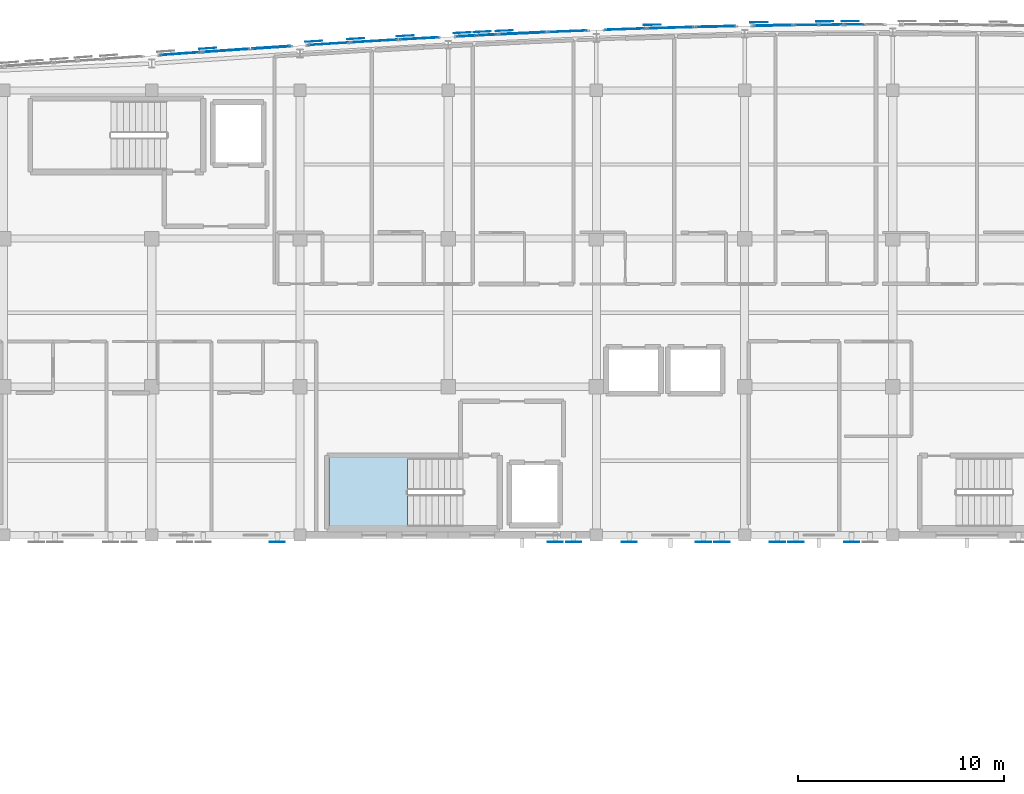
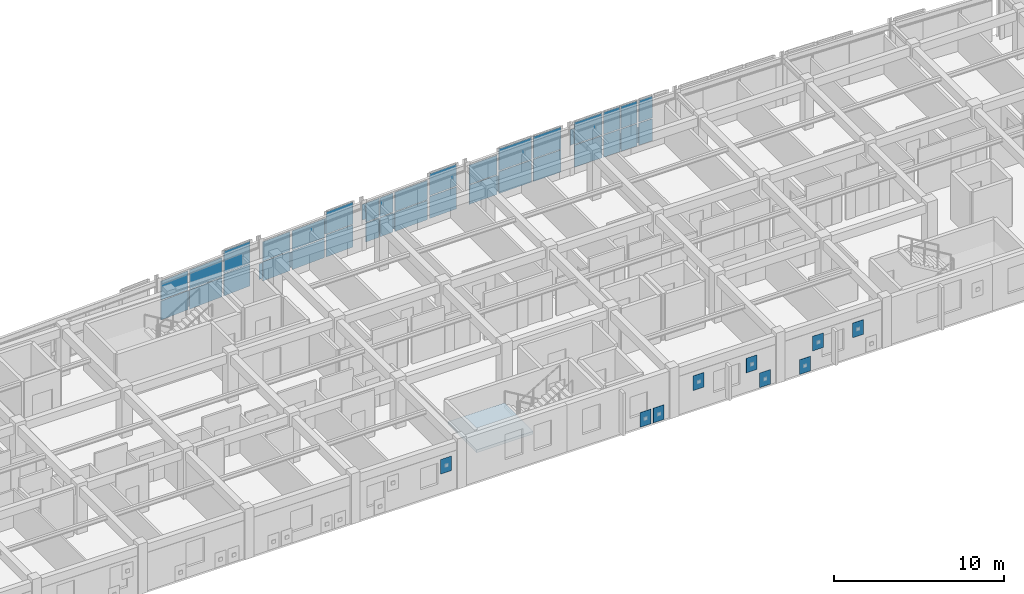
# One storey, part 52 of 73: 54 plates, 1 slab, 16 elements without a shape of their own.
"""IFC4 building model written with IfcOpenShell, lengths in metres."""

from ifc_helpers import new_model, si_unit, direction, frame, origin, origin_2d, place, context, subcontext, project, spatial, polyline, rectangle, outline, extrude, material, layer, layer_set, type_object, element, aggregate, save


model = new_model("IFC4")

# Units and contexts
model_context = context("Model", 3, precision=1e-05, world=origin(), true_north=direction((0.0, 1.0)))
body_context = subcontext(model_context, "Body", "Model", "MODEL_VIEW")
ifc_project = project(units=[si_unit("LENGTHUNIT", "METRE"), si_unit("AREAUNIT", "SQUARE_METRE"), si_unit("VOLUMEUNIT", "CUBIC_METRE"), si_unit("PLANEANGLEUNIT", "RADIAN"), si_unit("MASSUNIT", "GRAM", prefix="KILO")], contexts=[model_context])

# Site, building, storey
site_placement = place(None, origin())
site = spatial("IfcSite", under=ifc_project, at=site_placement, CompositionType="ELEMENT")
building_placement = place(site_placement, origin())
building = spatial("IfcBuilding", under=site, at=building_placement, Name="Carrowvane Square Congress Hotel", CompositionType="ELEMENT")
storey_placement = place(building_placement, frame((0.0, 0.0, 19.199951171875)))
storey = spatial("IfcBuildingStorey", under=building, at=storey_placement, Name="L04", CompositionType="ELEMENT", Elevation=19.199951171875)

# Curtain wall, plates
ifc_material_1 = material(Name="Anodised aluminium", Category="aluminium")
ifc_layer_1 = layer(ifc_material_1, 0.2099609375)
ifc_layer_set_1 = layer_set([ifc_layer_1], Name="Anodised aluminium")
curtain_wall_type_1 = type_object("IfcCurtainWallType", Name="CW-SYS-5", PredefinedType="NOTDEFINED", material=ifc_layer_set_1)
curtain_wall_1_placement = place(storey_placement, origin())
curtain_wall_1 = element("IfcCurtainWall", 1, at=curtain_wall_1_placement, inside=storey, type_object=curtain_wall_type_1, Name="L04 unitised curtain wall 260", PredefinedType="NOTDEFINED")
ifc_material_2 = material(Name="Double-glazed low-E glass", Category="glass")
ifc_layer_2 = layer(ifc_material_2, 0.028076171875)
ifc_layer_set_2 = layer_set([ifc_layer_2], Name="Double-glazed low-E glass")
plate_type_1 = type_object("IfcPlateType", Name="CW-PAN-1", PredefinedType="CURTAIN_PANEL", material=ifc_layer_set_2)
plate_1_placement = place(storey_placement, frame((70.580078125, 115.66064453125, 0.06005859375), z_axis=(0.0, 0.0, 1.0), x_axis=(0.998051378998, 0.062397474952, 0.0)))
plate_1 = element("IfcPlate", 2, at=plate_1_placement, type_object=plate_type_1, Name="CW-5 panel 1.1", PredefinedType="CURTAIN_PANEL", context=body_context, shape_type="SweptSolid", body=[
    extrude(rectangle(XDim=1.924072265625, YDim=0.028076171875, at=origin_2d()), origin(), (0.0, 0.0, 1.0), 1.372802734375),
])
plate_2_placement = place(storey_placement, frame((70.580078125, 115.66064453125, 1.49267578125), z_axis=(0.0, 0.0, 1.0), x_axis=(0.998051378998, 0.062397474952, 0.0)))
plate_2 = element("IfcPlate", 3, at=plate_2_placement, type_object=plate_type_1, Name="CW-5 panel 1.2", PredefinedType="CURTAIN_PANEL", context=body_context, shape_type="SweptSolid", body=[
    extrude(rectangle(XDim=1.924072265625, YDim=0.028076171875, at=origin_2d()), origin(), (0.0, 0.0, 1.0), 1.372802734375),
])
aggregate(curtain_wall_1, [plate_1, plate_2])

ifc_material_3 = material(Name="Anodised aluminium", Category="aluminium")
ifc_layer_3 = layer(ifc_material_3, 0.174072265625)
ifc_layer_set_3 = layer_set([ifc_layer_3], Name="Anodised aluminium")
curtain_wall_type_2 = type_object("IfcCurtainWallType", Name="CW-SYS-2", PredefinedType="NOTDEFINED", material=ifc_layer_set_3)
curtain_wall_2_placement = place(storey_placement, origin())
curtain_wall_2 = element("IfcCurtainWall", 4, at=curtain_wall_2_placement, inside=storey, type_object=curtain_wall_type_2, Name="L04 unitised curtain wall 265", PredefinedType="NOTDEFINED")
plate_3_placement = place(storey_placement, frame((82.200439453125, 116.267822265625, 0.06982421875), z_axis=(0.0, 0.0, 1.0), x_axis=(0.999194236464, 0.040135742379, 0.0)))
plate_3 = element("IfcPlate", 5, at=plate_3_placement, type_object=plate_type_1, Name="CW-2 panel 1.1", PredefinedType="CURTAIN_PANEL", context=body_context, shape_type="SweptSolid", body=[
    extrude(rectangle(XDim=1.86279296875, YDim=0.028076171875, at=origin_2d()), origin(), (0.0, 0.0, 1.0), 1.570068359375),
])
plate_4_placement = place(storey_placement, frame((82.200439453125, 116.267822265625, 1.7099609375), z_axis=(0.0, 0.0, 1.0), x_axis=(0.999194236464, 0.040135742379, 0.0)))
plate_4 = element("IfcPlate", 6, at=plate_4_placement, type_object=plate_type_1, Name="CW-2 panel 1.2", PredefinedType="CURTAIN_PANEL", context=body_context, shape_type="SweptSolid", body=[
    extrude(rectangle(XDim=1.86279296875, YDim=0.028076171875, at=origin_2d()), origin(), (0.0, 0.0, 1.0), 1.570068359375),
])
aggregate(curtain_wall_2, [plate_3, plate_4])

ifc_material_4 = material(Name="Anodised aluminium", Category="aluminium")
ifc_layer_4 = layer(ifc_material_4, 0.23388671875)
ifc_layer_set_4 = layer_set([ifc_layer_4], Name="Anodised aluminium")
curtain_wall_type_3 = type_object("IfcCurtainWallType", Name="CW-SYS-7", PredefinedType="NOTDEFINED", material=ifc_layer_set_4)
curtain_wall_3_placement = place(storey_placement, origin())
curtain_wall_3 = element("IfcCurtainWall", 7, at=curtain_wall_3_placement, inside=storey, type_object=curtain_wall_type_3, Name="L04 unitised curtain wall 270", PredefinedType="NOTDEFINED")
plate_5_placement = place(storey_placement, frame((93.81494140625, 116.57470703125, 0.06005859375), z_axis=(0.0, 0.0, 1.0), x_axis=(0.999952146231, 0.009782905924, 0.0)))
plate_5 = element("IfcPlate", 8, at=plate_5_placement, type_object=plate_type_1, Name="CW-7 panel 1.1", PredefinedType="CURTAIN_PANEL", context=body_context, shape_type="SweptSolid", body=[
    extrude(rectangle(XDim=1.110107421875, YDim=0.028076171875, at=origin_2d()), origin(), (0.0, 0.0, 1.0), 1.5849609375),
])
plate_6_placement = place(storey_placement, frame((93.81494140625, 116.57470703125, 1.705078125), z_axis=(0.0, 0.0, 1.0), x_axis=(0.999952146231, 0.009782905924, 0.0)))
plate_6 = element("IfcPlate", 9, at=plate_6_placement, type_object=plate_type_1, Name="CW-7 panel 1.2", PredefinedType="CURTAIN_PANEL", context=body_context, shape_type="SweptSolid", body=[
    extrude(rectangle(XDim=1.110107421875, YDim=0.028076171875, at=origin_2d()), origin(), (0.0, 0.0, 1.0), 1.5849609375),
])
plate_7_placement = place(storey_placement, frame((94.985107421875, 116.586181640625, 0.06005859375), z_axis=(0.0, 0.0, 1.0), x_axis=(0.999952146231, 0.009782905924, 0.0)))
plate_7 = element("IfcPlate", 10, at=plate_7_placement, type_object=plate_type_1, Name="CW-7 panel 2.1", PredefinedType="CURTAIN_PANEL", context=body_context, shape_type="SweptSolid", body=[
    extrude(rectangle(XDim=1.110107421875, YDim=0.028076171875, at=origin_2d()), origin(), (0.0, 0.0, 1.0), 1.5849609375),
])
plate_8_placement = place(storey_placement, frame((94.985107421875, 116.586181640625, 1.705078125), z_axis=(0.0, 0.0, 1.0), x_axis=(0.999952146231, 0.009782905924, 0.0)))
plate_8 = element("IfcPlate", 11, at=plate_8_placement, type_object=plate_type_1, Name="CW-7 panel 2.2", PredefinedType="CURTAIN_PANEL", context=body_context, shape_type="SweptSolid", body=[
    extrude(rectangle(XDim=1.110107421875, YDim=0.028076171875, at=origin_2d()), origin(), (0.0, 0.0, 1.0), 1.5849609375),
])
aggregate(curtain_wall_3, [plate_5, plate_6, plate_7, plate_8])

ifc_material_5 = material(Name="Anodised aluminium", Category="aluminium")
ifc_layer_5 = layer(ifc_material_5, 0.221923828125)
ifc_layer_set_5 = layer_set([ifc_layer_5], Name="Anodised aluminium")
curtain_wall_type_4 = type_object("IfcCurtainWallType", Name="CW-SYS-6", PredefinedType="NOTDEFINED", material=ifc_layer_set_5)
curtain_wall_4_placement = place(storey_placement, origin())
curtain_wall_4 = element("IfcCurtainWall", 12, at=curtain_wall_4_placement, inside=storey, type_object=curtain_wall_type_4, Name="L04 unitised curtain wall 261", PredefinedType="NOTDEFINED")
ifc_material_6 = material(Name="Double-glazed low-E glass", Category="glass")
ifc_layer_6 = layer(ifc_material_6, 0.031982421875)
ifc_layer_set_6 = layer_set([ifc_layer_6], Name="Double-glazed low-E glass")
plate_type_2 = type_object("IfcPlateType", Name="CW-PAN-2", PredefinedType="CURTAIN_PANEL", material=ifc_layer_set_6)
plate_9_placement = place(storey_placement, frame((72.800048828125, 115.795166015625, 0.070068359375), z_axis=(0.0, 0.0, 1.0), x_axis=(0.998266763162, 0.058851249486, 0.0)))
plate_9 = element("IfcPlate", 13, at=plate_9_placement, type_object=plate_type_2, Name="CW-6 panel 1.1", PredefinedType="CURTAIN_PANEL", context=body_context, shape_type="SweptSolid", body=[
    extrude(rectangle(XDim=2.26416015625, YDim=0.031982421875, at=origin_2d()), origin(), (0.0, 0.0, 1.0), 1.35791015625),
])
plate_10_placement = place(storey_placement, frame((72.800048828125, 115.795166015625, 1.497802734375), z_axis=(0.0, 0.0, 1.0), x_axis=(0.998266763162, 0.058851249486, 0.0)))
plate_10 = element("IfcPlate", 14, at=plate_10_placement, type_object=plate_type_2, Name="CW-6 panel 1.2", PredefinedType="CURTAIN_PANEL", context=body_context, shape_type="SweptSolid", body=[
    extrude(rectangle(XDim=2.26416015625, YDim=0.031982421875, at=origin_2d()), origin(), (0.0, 0.0, 1.0), 1.35791015625),
])
aggregate(curtain_wall_4, [plate_9, plate_10])

ifc_material_7 = material(Name="Anodised aluminium", Category="aluminium")
ifc_layer_7 = layer(ifc_material_7, 0.18603515625)
ifc_layer_set_7 = layer_set([ifc_layer_7], Name="Anodised aluminium")
curtain_wall_type_5 = type_object("IfcCurtainWallType", Name="CW-SYS-3", PredefinedType="NOTDEFINED", material=ifc_layer_set_7)
curtain_wall_5_placement = place(storey_placement, origin())
curtain_wall_5 = element("IfcCurtainWall", 15, at=curtain_wall_5_placement, inside=storey, type_object=curtain_wall_type_5, Name="L04 unitised curtain wall 266", PredefinedType="NOTDEFINED")
plate_11_placement = place(storey_placement, frame((84.9853515625, 116.371826171875, 0.06005859375), z_axis=(0.0, 0.0, 1.0), x_axis=(0.999403774749, 0.034526729036, 0.0)))
plate_11 = element("IfcPlate", 16, at=plate_11_placement, type_object=plate_type_2, Name="CW-3 panel 1.1", PredefinedType="CURTAIN_PANEL", context=body_context, shape_type="SweptSolid", body=[
    extrude(rectangle(XDim=1.91064453125, YDim=0.031982421875, at=origin_2d()), origin(), (0.0, 0.0, 1.0), 1.372802734375),
])
plate_12_placement = place(storey_placement, frame((84.9853515625, 116.371826171875, 1.49267578125), z_axis=(0.0, 0.0, 1.0), x_axis=(0.999403774749, 0.034526729036, 0.0)))
plate_12 = element("IfcPlate", 17, at=plate_12_placement, type_object=plate_type_2, Name="CW-3 panel 1.2", PredefinedType="CURTAIN_PANEL", context=body_context, shape_type="SweptSolid", body=[
    extrude(rectangle(XDim=1.91064453125, YDim=0.031982421875, at=origin_2d()), origin(), (0.0, 0.0, 1.0), 1.372802734375),
])
aggregate(curtain_wall_5, [plate_11, plate_12])

ifc_material_8 = material(Name="Anodised aluminium", Category="aluminium")
ifc_layer_8 = layer(ifc_material_8, 0.24609375)
ifc_layer_set_8 = layer_set([ifc_layer_8], Name="Anodised aluminium")
curtain_wall_type_6 = type_object("IfcCurtainWallType", Name="CW-SYS-8", PredefinedType="NOTDEFINED", material=ifc_layer_set_8)
curtain_wall_6_placement = place(storey_placement, origin())
curtain_wall_6 = element("IfcCurtainWall", 18, at=curtain_wall_6_placement, inside=storey, type_object=curtain_wall_type_6, Name="L04 unitised curtain wall 271", PredefinedType="NOTDEFINED")
plate_13_placement = place(storey_placement, frame((96.121337890625, 116.59375, 0.06982421875), z_axis=(0.0, 0.0, 1.0), x_axis=(0.999994652529, 0.003270307911, 0.0)))
plate_13 = element("IfcPlate", 19, at=plate_13_placement, type_object=plate_type_2, Name="CW-8 panel 1.1", PredefinedType="CURTAIN_PANEL", context=body_context, shape_type="SweptSolid", body=[
    extrude(rectangle(XDim=0.902587890625, YDim=0.031982421875, at=origin_2d()), origin(), (0.0, 0.0, 1.0), 1.570068359375),
])
plate_14_placement = place(storey_placement, frame((96.121337890625, 116.59375, 1.7099609375), z_axis=(0.0, 0.0, 1.0), x_axis=(0.999994652529, 0.003270307911, 0.0)))
plate_14 = element("IfcPlate", 20, at=plate_14_placement, type_object=plate_type_2, Name="CW-8 panel 1.2", PredefinedType="CURTAIN_PANEL", context=body_context, shape_type="SweptSolid", body=[
    extrude(rectangle(XDim=0.902587890625, YDim=0.031982421875, at=origin_2d()), origin(), (0.0, 0.0, 1.0), 1.570068359375),
])
aggregate(curtain_wall_6, [plate_13, plate_14])

curtain_wall_7_placement = place(storey_placement, origin())
curtain_wall_7 = element("IfcCurtainWall", 21, at=curtain_wall_7_placement, inside=storey, type_object=curtain_wall_type_2, Name="L04 unitised curtain wall 257", PredefinedType="NOTDEFINED")
ifc_material_9 = material(Name="Double-glazed low-E glass", Category="glass")
ifc_layer_9 = layer(ifc_material_9, 0.035888671875)
ifc_layer_set_9 = layer_set([ifc_layer_9], Name="Double-glazed low-E glass")
plate_type_3 = type_object("IfcPlateType", Name="CW-PAN-3", PredefinedType="CURTAIN_PANEL", material=ifc_layer_set_9)
plate_15_placement = place(storey_placement, frame((63.378662109375, 115.182373046875, 0.070068359375), z_axis=(0.0, 0.0, 1.0), x_axis=(0.997566332949, 0.069723822092, 0.0)))
plate_15 = element("IfcPlate", 22, at=plate_15_placement, type_object=plate_type_3, Name="CW-2 panel 1.1", PredefinedType="CURTAIN_PANEL", context=body_context, shape_type="SweptSolid", body=[
    extrude(rectangle(XDim=1.90771484375, YDim=0.035888671875, at=origin_2d()), origin(), (0.0, 0.0, 1.0), 1.35791015625),
])
plate_16_placement = place(storey_placement, frame((63.378662109375, 115.182373046875, 1.497802734375), z_axis=(0.0, 0.0, 1.0), x_axis=(0.997566332949, 0.069723822092, 0.0)))
plate_16 = element("IfcPlate", 23, at=plate_16_placement, type_object=plate_type_3, Name="CW-2 panel 1.2", PredefinedType="CURTAIN_PANEL", context=body_context, shape_type="SweptSolid", body=[
    extrude(rectangle(XDim=1.90771484375, YDim=0.035888671875, at=origin_2d()), origin(), (0.0, 0.0, 1.0), 1.35791015625),
])
aggregate(curtain_wall_7, [plate_15, plate_16])

curtain_wall_8_placement = place(storey_placement, origin())
curtain_wall_8 = element("IfcCurtainWall", 24, at=curtain_wall_8_placement, inside=storey, type_object=curtain_wall_type_3, Name="L04 unitised curtain wall 262", PredefinedType="NOTDEFINED")
plate_17_placement = place(storey_placement, frame((74.997802734375, 115.920654296875, 0.06005859375), z_axis=(0.0, 0.0, 1.0), x_axis=(0.998496473856, 0.054815980317, 0.0)))
plate_17 = element("IfcPlate", 25, at=plate_17_placement, type_object=plate_type_3, Name="CW-7 panel 1.1", PredefinedType="CURTAIN_PANEL", context=body_context, shape_type="SweptSolid", body=[
    extrude(rectangle(XDim=1.87841796875, YDim=0.035888671875, at=origin_2d()), origin(), (0.0, 0.0, 1.0), 1.5849609375),
])
plate_18_placement = place(storey_placement, frame((74.997802734375, 115.920654296875, 1.705078125), z_axis=(0.0, 0.0, 1.0), x_axis=(0.998496473856, 0.054815980317, 0.0)))
plate_18 = element("IfcPlate", 26, at=plate_18_placement, type_object=plate_type_3, Name="CW-7 panel 1.2", PredefinedType="CURTAIN_PANEL", context=body_context, shape_type="SweptSolid", body=[
    extrude(rectangle(XDim=1.87841796875, YDim=0.035888671875, at=origin_2d()), origin(), (0.0, 0.0, 1.0), 1.5849609375),
])
aggregate(curtain_wall_8, [plate_17, plate_18])

ifc_material_10 = material(Name="Anodised aluminium", Category="aluminium")
ifc_layer_10 = layer(ifc_material_10, 0.197998046875)
ifc_layer_set_10 = layer_set([ifc_layer_10], Name="Anodised aluminium")
curtain_wall_type_7 = type_object("IfcCurtainWallType", Name="CW-SYS-4", PredefinedType="NOTDEFINED", material=ifc_layer_set_10)
curtain_wall_9_placement = place(storey_placement, origin())
curtain_wall_9 = element("IfcCurtainWall", 27, at=curtain_wall_9_placement, inside=storey, type_object=curtain_wall_type_7, Name="L04 unitised curtain wall 267", PredefinedType="NOTDEFINED")
plate_19_placement = place(storey_placement, frame((87.199951171875, 116.44140625, 0.06982421875), z_axis=(0.0, 0.0, 1.0), x_axis=(0.999589848065, 0.028638010501, 0.0)))
plate_19 = element("IfcPlate", 28, at=plate_19_placement, type_object=plate_type_3, Name="CW-4 panel 1.1", PredefinedType="CURTAIN_PANEL", context=body_context, shape_type="SweptSolid", body=[
    extrude(rectangle(XDim=2.260986328125, YDim=0.035888671875, at=origin_2d()), origin(), (0.0, 0.0, 1.0), 1.570068359375),
])
plate_20_placement = place(storey_placement, frame((87.199951171875, 116.44140625, 1.7099609375), z_axis=(0.0, 0.0, 1.0), x_axis=(0.999589848065, 0.028638010501, 0.0)))
plate_20 = element("IfcPlate", 29, at=plate_20_placement, type_object=plate_type_3, Name="CW-4 panel 1.2", PredefinedType="CURTAIN_PANEL", context=body_context, shape_type="SweptSolid", body=[
    extrude(rectangle(XDim=2.260986328125, YDim=0.035888671875, at=origin_2d()), origin(), (0.0, 0.0, 1.0), 1.570068359375),
])
aggregate(curtain_wall_9, [plate_19, plate_20])

curtain_wall_10_placement = place(storey_placement, origin())
curtain_wall_10 = element("IfcCurtainWall", 30, at=curtain_wall_10_placement, inside=storey, type_object=curtain_wall_type_5, Name="L04 unitised curtain wall 258", PredefinedType="NOTDEFINED")
ifc_material_11 = material(Name="Double-glazed low-E glass", Category="glass")
ifc_layer_11 = layer(ifc_material_11, 0.0419921875)
ifc_layer_set_11 = layer_set([ifc_layer_11], Name="Double-glazed low-E glass")
plate_type_4 = type_object("IfcPlateType", Name="CW-PAN-4", PredefinedType="CURTAIN_PANEL", material=ifc_layer_set_11)
plate_21_placement = place(storey_placement, frame((65.599853515625, 115.33544921875, 0.06005859375), z_axis=(0.0, 0.0, 1.0), x_axis=(0.997694484404, 0.067865424104, 0.0)))
plate_21 = element("IfcPlate", 31, at=plate_21_placement, type_object=plate_type_4, Name="CW-3 panel 1.1", PredefinedType="CURTAIN_PANEL", context=body_context, shape_type="SweptSolid", body=[
    extrude(rectangle(XDim=2.285400390625, YDim=0.0419921875, at=origin_2d()), origin(), (0.0, 0.0, 1.0), 1.372802734375),
])
plate_22_placement = place(storey_placement, frame((65.599853515625, 115.33544921875, 1.49267578125), z_axis=(0.0, 0.0, 1.0), x_axis=(0.997694484404, 0.067865424104, 0.0)))
plate_22 = element("IfcPlate", 32, at=plate_22_placement, type_object=plate_type_4, Name="CW-3 panel 1.2", PredefinedType="CURTAIN_PANEL", context=body_context, shape_type="SweptSolid", body=[
    extrude(rectangle(XDim=2.285400390625, YDim=0.0419921875, at=origin_2d()), origin(), (0.0, 0.0, 1.0), 1.372802734375),
])
aggregate(curtain_wall_10, [plate_21, plate_22])

curtain_wall_11_placement = place(storey_placement, origin())
curtain_wall_11 = element("IfcCurtainWall", 33, at=curtain_wall_11_placement, inside=storey, type_object=curtain_wall_type_6, Name="L04 unitised curtain wall 263", PredefinedType="NOTDEFINED")
plate_23_placement = place(storey_placement, frame((77.290771484375, 116.04248046875, 0.070068359375), z_axis=(0.0, 0.0, 1.0), x_axis=(0.998732955299, 0.050323791596, 0.0)))
plate_23 = element("IfcPlate", 34, at=plate_23_placement, type_object=plate_type_4, Name="CW-8 panel 1.1", PredefinedType="CURTAIN_PANEL", context=body_context, shape_type="SweptSolid", body=[
    extrude(rectangle(XDim=0.9140625, YDim=0.0419921875, at=origin_2d()), origin(), (0.0, 0.0, 1.0), 1.35791015625),
])
plate_24_placement = place(storey_placement, frame((77.290771484375, 116.04248046875, 1.497802734375), z_axis=(0.0, 0.0, 1.0), x_axis=(0.998732955299, 0.050323791596, 0.0)))
plate_24 = element("IfcPlate", 35, at=plate_24_placement, type_object=plate_type_4, Name="CW-8 panel 1.2", PredefinedType="CURTAIN_PANEL", context=body_context, shape_type="SweptSolid", body=[
    extrude(rectangle(XDim=0.9140625, YDim=0.0419921875, at=origin_2d()), origin(), (0.0, 0.0, 1.0), 1.35791015625),
])
plate_25_placement = place(storey_placement, frame((78.273681640625, 116.092041015625, 0.070068359375), z_axis=(0.0, 0.0, 1.0), x_axis=(0.998732955299, 0.050323791596, 0.0)))
plate_25 = element("IfcPlate", 36, at=plate_25_placement, type_object=plate_type_4, Name="CW-8 panel 2.1", PredefinedType="CURTAIN_PANEL", context=body_context, shape_type="SweptSolid", body=[
    extrude(rectangle(XDim=0.9140625, YDim=0.0419921875, at=origin_2d()), origin(), (0.0, 0.0, 1.0), 1.35791015625),
])
plate_26_placement = place(storey_placement, frame((78.273681640625, 116.092041015625, 1.497802734375), z_axis=(0.0, 0.0, 1.0), x_axis=(0.998732955299, 0.050323791596, 0.0)))
plate_26 = element("IfcPlate", 37, at=plate_26_placement, type_object=plate_type_4, Name="CW-8 panel 2.2", PredefinedType="CURTAIN_PANEL", context=body_context, shape_type="SweptSolid", body=[
    extrude(rectangle(XDim=0.9140625, YDim=0.0419921875, at=origin_2d()), origin(), (0.0, 0.0, 1.0), 1.35791015625),
])
aggregate(curtain_wall_11, [plate_23, plate_24, plate_25, plate_26])

curtain_wall_12_placement = place(storey_placement, origin())
curtain_wall_12 = element("IfcCurtainWall", 38, at=curtain_wall_12_placement, inside=storey, type_object=curtain_wall_type_1, Name="L04 unitised curtain wall 268", PredefinedType="NOTDEFINED")
plate_27_placement = place(storey_placement, frame((89.40380859375, 116.498291015625, 0.06005859375), z_axis=(0.0, 0.0, 1.0), x_axis=(0.99974644475, 0.022517686606, 0.0)))
plate_27 = element("IfcPlate", 39, at=plate_27_placement, type_object=plate_type_4, Name="CW-5 panel 1.1", PredefinedType="CURTAIN_PANEL", context=body_context, shape_type="SweptSolid", body=[
    extrude(rectangle(XDim=1.88818359375, YDim=0.0419921875, at=origin_2d()), origin(), (0.0, 0.0, 1.0), 1.5849609375),
])
plate_28_placement = place(storey_placement, frame((89.40380859375, 116.498291015625, 1.705078125), z_axis=(0.0, 0.0, 1.0), x_axis=(0.99974644475, 0.022517686606, 0.0)))
plate_28 = element("IfcPlate", 40, at=plate_28_placement, type_object=plate_type_4, Name="CW-5 panel 1.2", PredefinedType="CURTAIN_PANEL", context=body_context, shape_type="SweptSolid", body=[
    extrude(rectangle(XDim=1.88818359375, YDim=0.0419921875, at=origin_2d()), origin(), (0.0, 0.0, 1.0), 1.5849609375),
])
aggregate(curtain_wall_12, [plate_27, plate_28])

curtain_wall_13_placement = place(storey_placement, origin())
curtain_wall_13 = element("IfcCurtainWall", 41, at=curtain_wall_13_placement, inside=storey, type_object=curtain_wall_type_7, Name="L04 unitised curtain wall 259", PredefinedType="NOTDEFINED")
ifc_material_12 = material(Name="Double-glazed low-E glass", Category="glass")
ifc_layer_12 = layer(ifc_material_12, 0.048095703125)
ifc_layer_set_12 = layer_set([ifc_layer_12], Name="Double-glazed low-E glass")
plate_type_5 = type_object("IfcPlateType", Name="CW-PAN-5", PredefinedType="CURTAIN_PANEL", material=ifc_layer_set_12)
plate_29_placement = place(storey_placement, frame((67.795654296875, 115.482177734375, 0.06982421875), z_axis=(0.0, 0.0, 1.0), x_axis=(0.997858327155, 0.065412223074, 0.0)))
plate_29 = element("IfcPlate", 42, at=plate_29_placement, type_object=plate_type_5, Name="CW-4 panel 1.1", PredefinedType="CURTAIN_PANEL", context=body_context, shape_type="SweptSolid", body=[
    extrude(rectangle(XDim=1.855712890625, YDim=0.048095703125, at=origin_2d()), origin(), (0.0, 0.0, 1.0), 1.570068359375),
])
plate_30_placement = place(storey_placement, frame((67.795654296875, 115.482177734375, 1.7099609375), z_axis=(0.0, 0.0, 1.0), x_axis=(0.997858327155, 0.065412223074, 0.0)))
plate_30 = element("IfcPlate", 43, at=plate_30_placement, type_object=plate_type_5, Name="CW-4 panel 1.2", PredefinedType="CURTAIN_PANEL", context=body_context, shape_type="SweptSolid", body=[
    extrude(rectangle(XDim=1.855712890625, YDim=0.048095703125, at=origin_2d()), origin(), (0.0, 0.0, 1.0), 1.570068359375),
])
aggregate(curtain_wall_13, [plate_29, plate_30])

ifc_material_13 = material(Name="Anodised aluminium", Category="aluminium")
ifc_layer_13 = layer(ifc_material_13, 0.162109375)
ifc_layer_set_13 = layer_set([ifc_layer_13], Name="Anodised aluminium")
curtain_wall_type_8 = type_object("IfcCurtainWallType", Name="CW-SYS-1", PredefinedType="NOTDEFINED", material=ifc_layer_set_13)
curtain_wall_14_placement = place(storey_placement, origin())
curtain_wall_14 = element("IfcCurtainWall", 44, at=curtain_wall_14_placement, inside=storey, type_object=curtain_wall_type_8, Name="L04 unitised curtain wall 264", PredefinedType="NOTDEFINED")
plate_31_placement = place(storey_placement, frame((80.0, 116.173095703125, 0.06005859375), z_axis=(0.0, 0.0, 1.0), x_axis=(0.998968385726, 0.045411059449, 0.0)))
plate_31 = element("IfcPlate", 45, at=plate_31_placement, type_object=plate_type_5, Name="CW-1 panel 1.1", PredefinedType="CURTAIN_PANEL", context=body_context, shape_type="SweptSolid", body=[
    extrude(rectangle(XDim=2.282470703125, YDim=0.048095703125, at=origin_2d()), origin(), (0.0, 0.0, 1.0), 1.372802734375),
])
plate_32_placement = place(storey_placement, frame((80.0, 116.173095703125, 1.49267578125), z_axis=(0.0, 0.0, 1.0), x_axis=(0.998968385726, 0.045411059449, 0.0)))
plate_32 = element("IfcPlate", 46, at=plate_32_placement, type_object=plate_type_5, Name="CW-1 panel 1.2", PredefinedType="CURTAIN_PANEL", context=body_context, shape_type="SweptSolid", body=[
    extrude(rectangle(XDim=2.282470703125, YDim=0.048095703125, at=origin_2d()), origin(), (0.0, 0.0, 1.0), 1.372802734375),
])
aggregate(curtain_wall_14, [plate_31, plate_32])

curtain_wall_15_placement = place(storey_placement, origin())
curtain_wall_15 = element("IfcCurtainWall", 47, at=curtain_wall_15_placement, inside=storey, type_object=curtain_wall_type_4, Name="L04 unitised curtain wall 269", PredefinedType="NOTDEFINED")
plate_33_placement = place(storey_placement, frame((92.188720703125, 116.55224609375, 0.06982421875), z_axis=(0.0, 0.0, 1.0), x_axis=(0.99986851233, 0.016215981364, 0.0)))
plate_33 = element("IfcPlate", 48, at=plate_33_placement, type_object=plate_type_5, Name="CW-6 panel 1.1", PredefinedType="CURTAIN_PANEL", context=body_context, shape_type="SweptSolid", body=[
    extrude(rectangle(XDim=1.8828125, YDim=0.048095703125, at=origin_2d()), origin(), (0.0, 0.0, 1.0), 1.570068359375),
])
plate_34_placement = place(storey_placement, frame((92.188720703125, 116.55224609375, 1.7099609375), z_axis=(0.0, 0.0, 1.0), x_axis=(0.99986851233, 0.016215981364, 0.0)))
plate_34 = element("IfcPlate", 49, at=plate_34_placement, type_object=plate_type_5, Name="CW-6 panel 1.2", PredefinedType="CURTAIN_PANEL", context=body_context, shape_type="SweptSolid", body=[
    extrude(rectangle(XDim=1.8828125, YDim=0.048095703125, at=origin_2d()), origin(), (0.0, 0.0, 1.0), 1.570068359375),
])
aggregate(curtain_wall_15, [plate_33, plate_34])

# Plates
ifc_material_14 = material(Name="Champagne-gold anodised aluminium", Category="aluminium")
ifc_layer_14 = layer(ifc_material_14, 0.011962890625)
ifc_layer_set_14 = layer_set([ifc_layer_14], Name="Champagne-gold anodised aluminium")
plate_type_6 = type_object("IfcPlateType", Name="PLT-PIX-GOLD12", PredefinedType="SHEET", material=ifc_layer_set_14)
for number, where, z_axis, x_axis, name in (
    (50, (71.91455078125, 115.9091796875, 0.119873046875), (0.0, 0.0, 1.0), (0.998266695506, 0.05885239709, 0.0), "Champagne-gold pixel screen plate 315"),
    (51, (77.08056640625, 116.197998046875, 1.590087890625), (0.0, 0.0, 1.0), (0.998733066647, 0.050321581706, 0.0), "Champagne-gold pixel screen plate 317"),
    (52, (78.063232421875, 116.24755859375, 0.119873046875), (0.0, 0.0, 1.0), (0.998733066647, 0.050321581706, 0.0), "Champagne-gold pixel screen plate 318"),
    (53, (86.31982421875, 116.582275390625, 0.119873046875), (0.0, 0.0, 1.0), (0.999589805464, 0.028639497417, 0.0), "Champagne-gold pixel screen plate 320"),
    (54, (91.49951171875, 116.70703125, 1.590087890625), (0.0, 0.0, 1.0), (0.999868508772, 0.016216200758, 0.0), "Champagne-gold pixel screen plate 321"),
    (55, (95.92431640625, 116.75927734375, 0.119873046875), (0.0, 0.0, 1.0), (0.999994654955, 0.003269565853, 0.0), "Champagne-gold pixel screen plate 323"),
):
    element("IfcPlate", number, at=place(storey_placement, frame(where, z_axis=z_axis, x_axis=x_axis)), inside=storey, type_object=plate_type_6, Name=name, PredefinedType="SHEET", context=body_context, shape_type="SweptSolid", body=[
        extrude(rectangle(XDim=0.827880859375, YDim=0.011962890625, at=origin_2d()), origin(), (0.0, 0.0, 1.0), 1.1201171875),
    ])
for number, where, z_axis, x_axis, name in (
    (56, (89.699951171875, 91.4541015625, 0.15478515625), (0.0, 0.0, 1.0), (-1.0, 0.0, 0.0), "Champagne-gold pixel screen plate S-376"),
    (57, (88.800048828125, 91.4541015625, 1.52490234375), (0.0, 0.0, 1.0), (-1.0, 0.0, 0.0), "Champagne-gold pixel screen plate S-377"),
    (58, (85.199951171875, 91.4541015625, 1.52490234375), (0.0, 0.0, 1.0), (-1.0, 0.0, 0.0), "Champagne-gold pixel screen plate S-378"),
):
    element("IfcPlate", number, at=place(storey_placement, frame(where, z_axis=z_axis, x_axis=x_axis)), inside=storey, type_object=plate_type_6, Name=name, PredefinedType="SHEET", context=body_context, shape_type="SweptSolid", body=[
        extrude(rectangle(XDim=0.738037109375, YDim=0.011962890625, at=origin_2d()), origin(), (0.0, 0.0, 1.0), 1.050048828125),
    ])
ifc_material_15 = material(Name="Champagne-gold anodised aluminium", Category="aluminium")
ifc_layer_15 = layer(ifc_material_15, 0.008056640625)
ifc_layer_set_15 = layer_set([ifc_layer_15], Name="Champagne-gold anodised aluminium")
plate_type_7 = type_object("IfcPlateType", Name="PLT-PIX-GOLD8", PredefinedType="SHEET", material=ifc_layer_set_15)
for number, where, z_axis, x_axis, name in (
    (59, (64.7080078125, 115.43896484375, 0.119873046875), (0.0, 0.0, 1.0), (0.9976944394, 0.067866085713, 0.0), "Champagne-gold pixel screen plate 313"),
    (60, (69.868896484375, 115.780517578125, 0.119873046875), (0.0, 0.0, 1.0), (0.998051413269, 0.062396926785, 0.0), "Champagne-gold pixel screen plate 314"),
    (61, (74.310302734375, 116.047119140625, 1.590087890625), (0.0, 0.0, 1.0), (0.998496552462, 0.054814548441, 0.0), "Champagne-gold pixel screen plate 316"),
    (62, (79.112060546875, 116.296875, 0.119873046875), (0.0, 0.0, 1.0), (0.998968255262, 0.045413929349, 0.0), "Champagne-gold pixel screen plate 319"),
    (63, (94.688232421875, 116.747314453125, 0.119873046875), (0.0, 0.0, 1.0), (0.999952150705, 0.009782448565, 0.0), "Champagne-gold pixel screen plate 322"),
):
    element("IfcPlate", number, at=place(storey_placement, frame(where, z_axis=z_axis, x_axis=x_axis)), inside=storey, type_object=plate_type_7, Name=name, PredefinedType="SHEET", context=body_context, shape_type="SweptSolid", body=[
        extrude(rectangle(XDim=0.827880859375, YDim=0.008056640625, at=origin_2d()), origin(), (0.0, 0.0, 1.0), 1.1201171875),
    ])
for number, where, z_axis, x_axis, name in (
    (64, (96.0, 91.4560546875, 1.52490234375), (0.0, 0.0, 1.0), (-1.0, 0.0, 0.0), "Champagne-gold pixel screen plate S-373"),
    (65, (93.300048828125, 91.4560546875, 1.52490234375), (0.0, 0.0, 1.0), (-1.0, 0.0, 0.0), "Champagne-gold pixel screen plate S-374"),
    (66, (92.39990234375, 91.4560546875, 0.15478515625), (0.0, 0.0, 1.0), (-1.0, 0.0, 0.0), "Champagne-gold pixel screen plate S-375"),
    (67, (82.5, 91.4560546875, 0.15478515625), (0.0, 0.0, 1.0), (-1.0, 0.0, 0.0), "Champagne-gold pixel screen plate S-379"),
    (68, (81.60009765625, 91.4560546875, 0.15478515625), (0.0, 0.0, 1.0), (-1.0, 0.0, 0.0), "Champagne-gold pixel screen plate S-380"),
    (69, (68.10009765625, 91.4560546875, 1.52490234375), (0.0, 0.0, 1.0), (-1.0, 0.0, 0.0), "Champagne-gold pixel screen plate S-381"),
):
    element("IfcPlate", number, at=place(storey_placement, frame(where, z_axis=z_axis, x_axis=x_axis)), inside=storey, type_object=plate_type_7, Name=name, PredefinedType="SHEET", context=body_context, shape_type="SweptSolid", body=[
        extrude(rectangle(XDim=0.738037109375, YDim=0.008056640625, at=origin_2d()), origin(), (0.0, 0.0, 1.0), 1.050048828125),
    ])

# Stair, slab
ifc_material_16 = material(Name="Concrete C35/45", Category="concrete")
stair_type = type_object("IfcStairType", Name="STR-DOG-02", PredefinedType="HALF_TURN_STAIR", material=ifc_material_16)
stair_placement = place(storey_placement, origin())
stair = element("IfcStair", 70, at=stair_placement, inside=storey, type_object=stair_type, Name="L04 Core C2 Central Hotel Firefighting Stair", PredefinedType="HALF_TURN_STAIR")
ifc_material_17 = material(Name="Concrete C35/45", Category="concrete")
ifc_layer_16 = layer(ifc_material_17, 0.199951171875)
ifc_layer_set_16 = layer_set([ifc_layer_16], Name="Concrete C35/45")
slab_type = type_object("IfcSlabType", Name="SLB-LND-200", PredefinedType="LANDING", material=ifc_layer_set_16)
slab_placement = place(storey_placement, frame((0.0, 0.0, 1.60009765625)))
slab = element("IfcSlab", 71, at=slab_placement, type_object=slab_type, Name="ST2 landing 1", PredefinedType="LANDING", context=body_context, shape_type="SweptSolid", body=[
    extrude(outline(polyline([(74.419921875, 95.56005859375), (70.60009765625, 95.56005859375), (70.60009765625, 92.199951171875), (74.419921875, 92.199951171875), (74.419921875, 95.56005859375)])), origin(), (0.0, 0.0, 1.0), 0.199951171875),
])
aggregate(stair, [slab])

save(model, "model.ifc")
